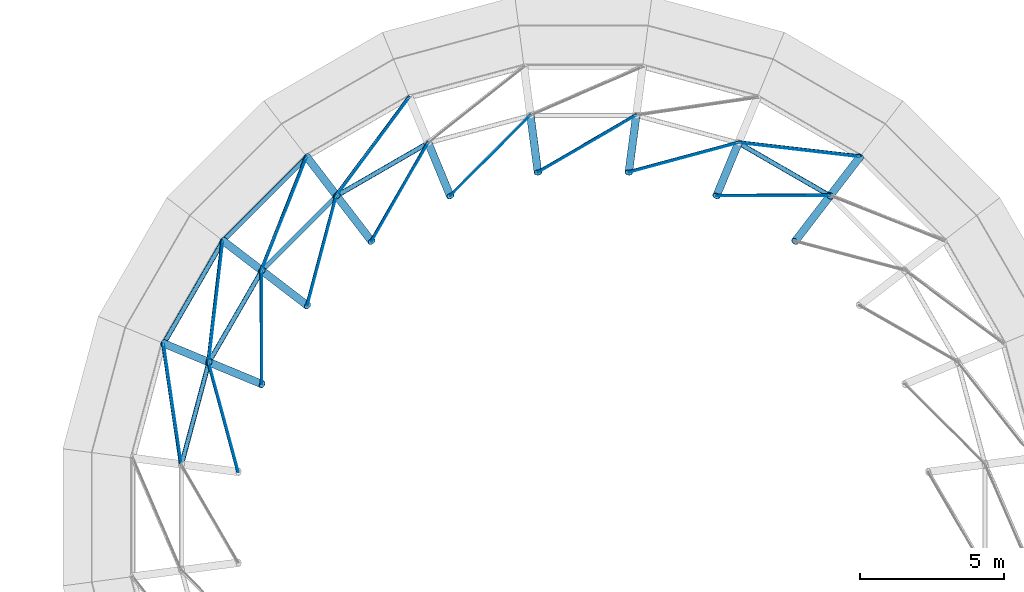
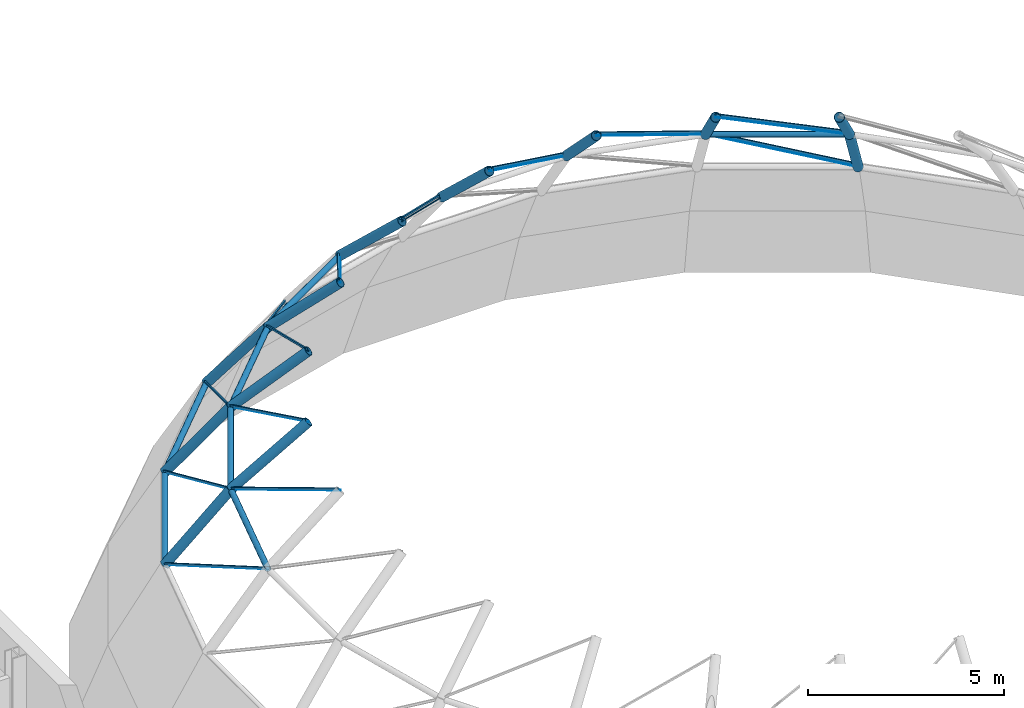
# One storey, part 7 of 62: 33 members, 12 beams.
"""IFC4 building model written with IfcOpenShell, lengths in metres."""

from ifc_helpers import new_model, si_unit, direction, frame, origin, origin_2d, place, context, subcontext, project, spatial, rectangle, circle, hollow_circle, extrude, material, material_profile, profile_set, type_object, element, save


model = new_model("IFC4")

# Units and contexts
model_context = context("Model", 3, precision=1e-05, world=origin(), true_north=direction((0.0, 1.0)))
body_context = subcontext(model_context, "Body", "Model", "MODEL_VIEW")
ifc_project = project(units=[si_unit("LENGTHUNIT", "METRE"), si_unit("AREAUNIT", "SQUARE_METRE"), si_unit("VOLUMEUNIT", "CUBIC_METRE"), si_unit("PLANEANGLEUNIT", "RADIAN"), si_unit("MASSUNIT", "GRAM", prefix="KILO")], contexts=[model_context])

# Site, building, storey
site_placement = place(None, origin())
site = spatial("IfcSite", under=ifc_project, at=site_placement, CompositionType="ELEMENT")
building_placement = place(site_placement, origin())
building = spatial("IfcBuilding", under=site, at=building_placement, Name="Hortulan Conservatory and Botanical Research Centre", CompositionType="ELEMENT")
storey_placement = place(building_placement, frame((0.0, 0.0, 15.0)))
storey = spatial("IfcBuildingStorey", under=building, at=storey_placement, Name="L03", CompositionType="ELEMENT", Elevation=15.0)

# Members
ifc_material_1 = material(Name="Steel Grade 300PLUS (AS/NZS 3679.1, 280 MPa minimum yield)", Category="steel")
ifc_material_profile_1 = material_profile(ifc_material_1, circle(Radius=0.011962890625, at=origin_2d()), Name="24 dia rod")
ifc_profile_set_1 = profile_set([ifc_material_profile_1], Name="Steel Grade 300PLUS (AS/NZS 3679.1, 280 MPa minimum yield)")
member_type_1 = type_object("IfcMemberType", Name="Dome Diagonal Rod 24 dia rod", PredefinedType="BRACE", material=ifc_profile_set_1)
for number, where, z_axis, x_axis, name in (
    (1, (63.619873046875, 30.536865234375, 0.515380859375), (-0.882469396453, 0.102847629972, 0.458988158162), (-0.115761732848, -0.993277011316, 0.0), "Dome diagonal rod row 3 panel 04"),
    (2, (47.95263671875, 32.599609375, 0.515380859375), (-0.530297262099, -0.712827671315, 0.458978784715), (0.802329783518, -0.59688099189, 0.0), "Dome diagonal rod row 3 panel 08"),
):
    element("IfcMember", number, at=place(storey_placement, frame(where, z_axis=z_axis, x_axis=x_axis)), inside=storey, type_object=member_type_1, Name=name, PredefinedType="BRACE", context=body_context, shape_type="SweptSolid", body=[
        extrude(circle(Radius=0.011962890625, at=origin_2d()), origin(), (0.0, 0.0, 1.0), 4.78564453125),
    ])
member_1_placement = place(storey_placement, frame((44.380126953125, 30.536865234375, 0.515380859375), z_axis=(-0.327737877401, -0.825772927087, 0.459006488632), x_axis=(0.92947133509, -0.368894344286, 0.0)))
element("IfcMember", 3, at=member_1_placement, inside=storey, type_object=member_type_1, Name="Dome diagonal rod row 3 panel 09", PredefinedType="BRACE", context=body_context, shape_type="SweptSolid", body=[
    extrude(circle(Radius=0.011962890625, at=origin_2d()), origin(), (0.0, 0.0, 1.0), 4.785400390625),
])
for number, where, z_axis, x_axis, name in (
    (4, (41.463134765625, 27.619873046875, 0.515380859375), (-0.102847629972, -0.882469396453, 0.458988158162), (0.993277011316, -0.115761732848, 0.0), "Dome diagonal rod row 3 panel 10"),
    (5, (39.400390625, 24.04736328125, 0.515380859375), (0.129071585613, -0.879013209529, 0.458994883699), (0.989390716312, 0.145279077903, 0.0), "Dome diagonal rod row 3 panel 11"),
):
    element("IfcMember", number, at=place(storey_placement, frame(where, z_axis=z_axis, x_axis=x_axis)), inside=storey, type_object=member_type_1, Name=name, PredefinedType="BRACE", context=body_context, shape_type="SweptSolid", body=[
        extrude(circle(Radius=0.011962890625, at=origin_2d()), origin(), (0.0, 0.0, 1.0), 4.78564453125),
    ])
for number, where, z_axis, x_axis, name in (
    (6, (62.585205078125, 29.188232421875, 2.7119140625), (-0.899169927801, -0.002109424451, 0.437594551232), (0.002345962183, -0.999997248227, 0.0), "Dome diagonal rod row 4 panel 04"),
    (7, (59.396728515625, 31.029052734375, 2.7119140625), (-0.867982962687, -0.234759526043, 0.437599750247), (0.261084733121, -0.965315887226, 0.0), "Dome diagonal rod row 4 panel 05"),
):
    element("IfcMember", number, at=place(storey_placement, frame(where, z_axis=z_axis, x_axis=x_axis)), inside=storey, type_object=member_type_1, Name=name, PredefinedType="BRACE", context=body_context, shape_type="SweptSolid", body=[
        extrude(circle(Radius=0.011962890625, at=origin_2d()), origin(), (0.0, 0.0, 1.0), 4.39794921875),
    ])
for number, where, z_axis, x_axis, name in (
    (8, (55.8408203125, 31.98193359375, 2.7119140625), (-0.777650157748, -0.451413454408, 0.437591276574), (0.502031260393, -0.864849474526, 0.0), "Dome diagonal rod row 4 panel 06"),
    (9, (52.1591796875, 31.98193359375, 2.7119140625), (-0.634313390851, -0.637310933785, 0.437585758299), (0.708771643062, -0.705437990181, 0.0), "Dome diagonal rod row 4 panel 07"),
):
    element("IfcMember", number, at=place(storey_placement, frame(where, z_axis=z_axis, x_axis=x_axis)), inside=storey, type_object=member_type_1, Name=name, PredefinedType="BRACE", context=body_context, shape_type="SweptSolid", body=[
        extrude(circle(Radius=0.011962890625, at=origin_2d()), origin(), (0.0, 0.0, 1.0), 4.398193359375),
    ])
for number, where, z_axis, x_axis, name in (
    (10, (48.603271484375, 31.029052734375, 2.7119140625), (-0.447751772817, -0.779763098532, 0.437593258755), (0.867200273524, -0.49795952205, 0.0), "Dome diagonal rod row 4 panel 08"),
    (11, (45.414794921875, 29.188232421875, 2.7119140625), (-0.230649723098, -0.869085936179, 0.437596093185), (0.966540631626, -0.256513561855, 0.0), "Dome diagonal rod row 4 panel 09"),
    (12, (42.811767578125, 26.585205078125, 2.7119140625), (0.002109424451, -0.899169927801, 0.437594551232), (0.999997248227, 0.002345962183, 0.0), "Dome diagonal rod row 4 panel 10"),
    (13, (40.970947265625, 23.396728515625, 2.7119140625), (0.234759526043, -0.867982962687, 0.437599750247), (0.965315887226, 0.261084733121, 0.0), "Dome diagonal rod row 4 panel 11"),
):
    element("IfcMember", number, at=place(storey_placement, frame(where, z_axis=z_axis, x_axis=x_axis)), inside=storey, type_object=member_type_1, Name=name, PredefinedType="BRACE", context=body_context, shape_type="SweptSolid", body=[
        extrude(circle(Radius=0.011962890625, at=origin_2d()), origin(), (0.0, 0.0, 1.0), 4.39794921875),
    ])
ifc_material_2 = material(Name="Bronze-finished aluminium", Category="aluminium")
ifc_material_profile_2 = material_profile(ifc_material_2, rectangle(XDim=0.050048828125, YDim=0.050048828125, at=origin_2d()), Name="Square bar 50x50")
ifc_profile_set_2 = profile_set([ifc_material_profile_2], Name="Bronze-finished aluminium")
member_type_2 = type_object("IfcMemberType", Name="Dome Glazing Bar 50x50", PredefinedType="MEMBER", material=ifc_profile_set_2)
member_2_placement = place(storey_placement, frame((63.65869140625, 30.58740234375, 0.5576171875), z_axis=(-0.882467286107, 0.102845269021, 0.458992744596), x_axis=(-0.115759384172, -0.99327728504, 0.0)))
element("IfcMember", 14, at=member_2_placement, inside=storey, type_object=member_type_2, Name="Dome glazing bar row 3 panel 04", PredefinedType="MEMBER", context=body_context, shape_type="SweptSolid", body=[
    extrude(rectangle(XDim=0.050048828125, YDim=0.050048828125, at=origin_2d()), origin(), (0.0, 0.0, 1.0), 4.8046875),
])
member_3_placement = place(storey_placement, frame((47.92822265625, 32.658447265625, 0.5576171875), z_axis=(-0.530310378476, -0.712822104019, 0.458972276399), x_axis=(0.802320480916, -0.596893496281, 0.0)))
element("IfcMember", 15, at=member_3_placement, inside=storey, type_object=member_type_2, Name="Dome glazing bar row 3 panel 08", PredefinedType="MEMBER", context=body_context, shape_type="SweptSolid", body=[
    extrude(rectangle(XDim=0.050048828125, YDim=0.050048828125, at=origin_2d()), origin(), (0.0, 0.0, 1.0), 4.804931640625),
])
for number, where, z_axis, x_axis, name in (
    (16, (44.34130859375, 30.58740234375, 0.5576171875), (-0.327748053238, -0.825772653205, 0.458999715488), (0.929467365896, -0.368904344965, 0.0), "Dome glazing bar row 3 panel 09"),
    (17, (41.41259765625, 27.65869140625, 0.5576171875), (-0.102845269021, -0.882467286107, 0.458992744596), (0.99327728504, -0.115759384172, 0.0), "Dome glazing bar row 3 panel 10"),
):
    element("IfcMember", number, at=place(storey_placement, frame(where, z_axis=z_axis, x_axis=x_axis)), inside=storey, type_object=member_type_2, Name=name, PredefinedType="MEMBER", context=body_context, shape_type="SweptSolid", body=[
        extrude(rectangle(XDim=0.050048828125, YDim=0.050048828125, at=origin_2d()), origin(), (0.0, 0.0, 1.0), 4.8046875),
    ])
member_4_placement = place(storey_placement, frame((39.341552734375, 24.07177734375, 0.5576171875), z_axis=(0.129059327779, -0.879026130151, 0.45897358576), x_axis=(0.989393006263, 0.145263481844, 0.0)))
element("IfcMember", 18, at=member_4_placement, inside=storey, type_object=member_type_2, Name="Dome glazing bar row 3 panel 11", PredefinedType="MEMBER", context=body_context, shape_type="SweptSolid", body=[
    extrude(rectangle(XDim=0.050048828125, YDim=0.050048828125, at=origin_2d()), origin(), (0.0, 0.0, 1.0), 4.804931640625),
])
member_5_placement = place(storey_placement, frame((62.618408203125, 29.2314453125, 2.7607421875), z_axis=(-0.89916254341, -0.00210123465, 0.437609763763), x_axis=(0.00233687327, -0.999997269508, 0.0)))
element("IfcMember", 19, at=member_5_placement, inside=storey, type_object=member_type_2, Name="Dome glazing bar row 4 panel 04", PredefinedType="MEMBER", context=body_context, shape_type="SweptSolid", body=[
    extrude(rectangle(XDim=0.050048828125, YDim=0.050048828125, at=origin_2d()), origin(), (0.0, 0.0, 1.0), 4.415283203125),
])
for number, where, z_axis, x_axis, name in (
    (20, (59.417724609375, 31.079345703125, 2.7607421875), (-0.867983402485, -0.234732085338, 0.437613597965), (0.261056171955, -0.965323611585, 0.0), "Dome glazing bar row 4 panel 05"),
    (21, (55.847900390625, 32.035888671875, 2.7607421875), (-0.777645328494, -0.451391510808, 0.437622493757), (0.502015338467, -0.864858716753, 0.0), "Dome glazing bar row 4 panel 06"),
    (22, (52.152099609375, 32.035888671875, 2.7607421875), (-0.634308119075, -0.637294139338, 0.437617858457), (0.708765279572, -0.705444383685, 0.0), "Dome glazing bar row 4 panel 07"),
    (23, (48.582275390625, 31.079345703125, 2.7607421875), (-0.447743896205, -0.779750114906, 0.437624452831), (0.867200475818, -0.497959169754, 0.0), "Dome glazing bar row 4 panel 08"),
    (24, (45.381591796875, 29.2314453125, 2.7607421875), (-0.230649317669, -0.869068491127, 0.437630951818), (0.966539466797, -0.256517950879, 0.0), "Dome glazing bar row 4 panel 09"),
):
    element("IfcMember", number, at=place(storey_placement, frame(where, z_axis=z_axis, x_axis=x_axis)), inside=storey, type_object=member_type_2, Name=name, PredefinedType="MEMBER", context=body_context, shape_type="SweptSolid", body=[
        extrude(rectangle(XDim=0.050048828125, YDim=0.050048828125, at=origin_2d()), origin(), (0.0, 0.0, 1.0), 4.4150390625),
    ])
member_6_placement = place(storey_placement, frame((42.7685546875, 26.618408203125, 2.7607421875), z_axis=(0.00210123465, -0.89916254341, 0.437609763763), x_axis=(0.999997269508, 0.00233687327, 0.0)))
element("IfcMember", 25, at=member_6_placement, inside=storey, type_object=member_type_2, Name="Dome glazing bar row 4 panel 10", PredefinedType="MEMBER", context=body_context, shape_type="SweptSolid", body=[
    extrude(rectangle(XDim=0.050048828125, YDim=0.050048828125, at=origin_2d()), origin(), (0.0, 0.0, 1.0), 4.415283203125),
])
member_7_placement = place(storey_placement, frame((40.920654296875, 23.417724609375, 2.7607421875), z_axis=(0.234732085338, -0.867983402485, 0.437613597965), x_axis=(0.965323611585, 0.261056171955, 0.0)))
element("IfcMember", 26, at=member_7_placement, inside=storey, type_object=member_type_2, Name="Dome glazing bar row 4 panel 11", PredefinedType="MEMBER", context=body_context, shape_type="SweptSolid", body=[
    extrude(rectangle(XDim=0.050048828125, YDim=0.050048828125, at=origin_2d()), origin(), (0.0, 0.0, 1.0), 4.4150390625),
])

# Beams
ifc_material_3 = material(Name="Steel Grade C350L0 (350 MPa, AS/NZS 1163)", Category="steel")
ifc_material_profile_3 = material_profile(ifc_material_3, hollow_circle(Radius=0.136474609375, WallThickness=0.00927734375, at=origin_2d()), Name="273.1x9.3CHS")
ifc_profile_set_3 = profile_set([ifc_material_profile_3], Name="Steel Grade C350L0 (350 MPa, AS/NZS 1163)")
beam_type = type_object("IfcBeamType", Name="Dome Rib 273.1x9.3 CHS", PredefinedType="BEAM", material=ifc_profile_set_3)
for number, where, z_axis, x_axis, name in (
    (27, (63.619873046875, 30.536865234375, 0.515380859375), (-0.372527375327, -0.485568952644, 0.790851532755), (0.793402885346, -0.608696855195, 0.0), "Dome rib 04 segment 3"),
    (28, (62.585205078125, 29.188232421875, 2.7119140625), (-0.438978435102, -0.571972902926, 0.692924910675), (0.793294262956, -0.608838412356, 0.0), "Dome rib 04 segment 4"),
    (29, (59.396728515625, 31.029052734375, 2.7119140625), (-0.275842346128, -0.666135531853, 0.692946212404), (0.923918769988, -0.382588690977, 0.0), "Dome rib 05 segment 4"),
    (30, (55.8408203125, 31.98193359375, 2.7119140625), (-0.09414383172, -0.714825060268, 0.692937278664), (0.991438519442, -0.130574354934, 0.0), "Dome rib 06 segment 4"),
    (31, (52.1591796875, 31.98193359375, 2.7119140625), (0.09414383172, -0.714825060268, 0.692937278664), (0.991438519442, 0.130574354934, 0.0), "Dome rib 07 segment 4"),
    (32, (48.603271484375, 31.029052734375, 2.7119140625), (0.275842346128, -0.666135531853, 0.692946212404), (0.923918769988, 0.382588690977, 0.0), "Dome rib 08 segment 4"),
    (33, (44.380126953125, 30.536865234375, 0.515380859375), (0.372527375327, -0.485568952644, 0.790851532755), (0.793402885346, 0.608696855195, 0.0), "Dome rib 09 segment 3"),
    (34, (45.414794921875, 29.188232421875, 2.7119140625), (0.438978435102, -0.571972902926, 0.692924910675), (0.793294262956, 0.608838412356, 0.0), "Dome rib 09 segment 4"),
    (35, (41.463134765625, 27.619873046875, 0.515380859375), (0.485568952644, -0.372527375327, 0.790851532755), (0.608696855195, 0.793402885346, 0.0), "Dome rib 10 segment 3"),
    (36, (42.811767578125, 26.585205078125, 2.7119140625), (0.571972902926, -0.438978435102, 0.692924910675), (0.608838412356, 0.793294262956, 0.0), "Dome rib 10 segment 4"),
):
    element("IfcBeam", number, at=place(storey_placement, frame(where, z_axis=z_axis, x_axis=x_axis)), inside=storey, type_object=beam_type, Name=name, PredefinedType="BEAM", context=body_context, shape_type="SweptSolid", body=[
        extrude(hollow_circle(Radius=0.136474609375, WallThickness=0.00927734375, at=origin_2d()), origin(), (0.0, 0.0, 1.0), 2.77734375),
    ])
beam_1_placement = place(storey_placement, frame((39.400390625, 24.04736328125, 0.515380859375), z_axis=(0.56544866769, -0.234248515373, 0.790819471974), x_axis=(0.382728070254, 0.923861041629, 0.0)))
element("IfcBeam", 37, at=beam_1_placement, inside=storey, type_object=beam_type, Name="Dome rib 11 segment 3", PredefinedType="BEAM", context=body_context, shape_type="SweptSolid", body=[
    extrude(hollow_circle(Radius=0.136474609375, WallThickness=0.00927734375, at=origin_2d()), origin(), (0.0, 0.0, 1.0), 2.777587890625),
])
beam_2_placement = place(storey_placement, frame((40.970947265625, 23.396728515625, 2.7119140625), z_axis=(0.666135531853, -0.275842346128, 0.692946212404), x_axis=(0.382588690977, 0.923918769988, 0.0)))
element("IfcBeam", 38, at=beam_2_placement, inside=storey, type_object=beam_type, Name="Dome rib 11 segment 4", PredefinedType="BEAM", context=body_context, shape_type="SweptSolid", body=[
    extrude(hollow_circle(Radius=0.136474609375, WallThickness=0.00927734375, at=origin_2d()), origin(), (0.0, 0.0, 1.0), 2.77734375),
])

# Members
ifc_material_profile_4 = material_profile(ifc_material_3, hollow_circle(Radius=0.084228515625, WallThickness=0.00634765625, at=origin_2d()), Name="168.3x6.4CHS")
ifc_profile_set_4 = profile_set([ifc_material_profile_4], Name="Steel Grade C350L0 (350 MPa, AS/NZS 1163)")
member_type_3 = type_object("IfcMemberType", Name="Dome Ring 168.3x6.4 CHS", PredefinedType="PURLIN", material=ifc_profile_set_4)
for number, where, z_axis, x_axis, name in (
    (39, (44.380126953125, 30.536865234375, 0.515380859375), (-0.707106781187, -0.707106781187, 0.0), (0.707106781187, -0.707106781187, 0.0), "Dome ring 2 chord 09"),
    (40, (41.463134765625, 27.619873046875, 0.515380859375), (-0.500028119036, -0.866009168642, 0.0), (0.866009168642, -0.500028119036, 0.0), "Dome ring 2 chord 10"),
):
    element("IfcMember", number, at=place(storey_placement, frame(where, z_axis=z_axis, x_axis=x_axis)), inside=storey, type_object=member_type_3, Name=name, PredefinedType="PURLIN", context=body_context, shape_type="SweptSolid", body=[
        extrude(hollow_circle(Radius=0.084228515625, WallThickness=0.00634765625, at=origin_2d()), origin(), (0.0, 0.0, 1.0), 4.125244140625),
    ])
for number, where, z_axis, x_axis, name in (
    (41, (62.585205078125, 29.188232421875, 2.7119140625), (-0.866030989016, 0.499990325971, 0.0), (-0.499990325971, -0.866030989016, 0.0), "Dome ring 3 chord 04"),
    (42, (48.603271484375, 31.029052734375, 2.7119140625), (-0.866030989016, -0.499990325971, 0.0), (0.499990325971, -0.866030989016, 0.0), "Dome ring 3 chord 08"),
):
    element("IfcMember", number, at=place(storey_placement, frame(where, z_axis=z_axis, x_axis=x_axis)), inside=storey, type_object=member_type_3, Name=name, PredefinedType="PURLIN", context=body_context, shape_type="SweptSolid", body=[
        extrude(hollow_circle(Radius=0.084228515625, WallThickness=0.00634765625, at=origin_2d()), origin(), (0.0, 0.0, 1.0), 3.681640625),
    ])
member_8_placement = place(storey_placement, frame((45.414794921875, 29.188232421875, 2.7119140625), z_axis=(-0.707106781187, -0.707106781187, 0.0), x_axis=(0.707106781187, -0.707106781187, 0.0)))
element("IfcMember", 43, at=member_8_placement, inside=storey, type_object=member_type_3, Name="Dome ring 3 chord 09", PredefinedType="PURLIN", context=body_context, shape_type="SweptSolid", body=[
    extrude(hollow_circle(Radius=0.084228515625, WallThickness=0.00634765625, at=origin_2d()), origin(), (0.0, 0.0, 1.0), 3.68115234375),
])
member_9_placement = place(storey_placement, frame((42.811767578125, 26.585205078125, 2.7119140625), z_axis=(-0.499990325971, -0.866030989016, 0.0), x_axis=(0.866030989016, -0.499990325971, 0.0)))
element("IfcMember", 44, at=member_9_placement, inside=storey, type_object=member_type_3, Name="Dome ring 3 chord 10", PredefinedType="PURLIN", context=body_context, shape_type="SweptSolid", body=[
    extrude(hollow_circle(Radius=0.084228515625, WallThickness=0.00634765625, at=origin_2d()), origin(), (0.0, 0.0, 1.0), 3.681640625),
])
member_10_placement = place(storey_placement, frame((40.970947265625, 23.396728515625, 2.7119140625), z_axis=(-0.258838845954, -0.965920520449, 0.0), x_axis=(0.965920520449, -0.258838845954, 0.0)))
element("IfcMember", 45, at=member_10_placement, inside=storey, type_object=member_type_3, Name="Dome ring 3 chord 11", PredefinedType="PURLIN", context=body_context, shape_type="SweptSolid", body=[
    extrude(hollow_circle(Radius=0.084228515625, WallThickness=0.00634765625, at=origin_2d()), origin(), (0.0, 0.0, 1.0), 3.681396484375),
])

save(model, "model.ifc")
